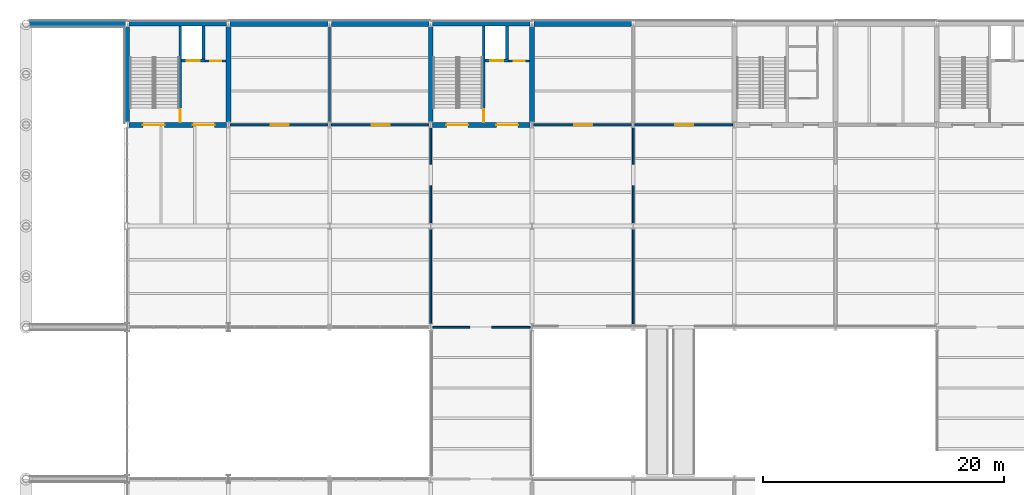
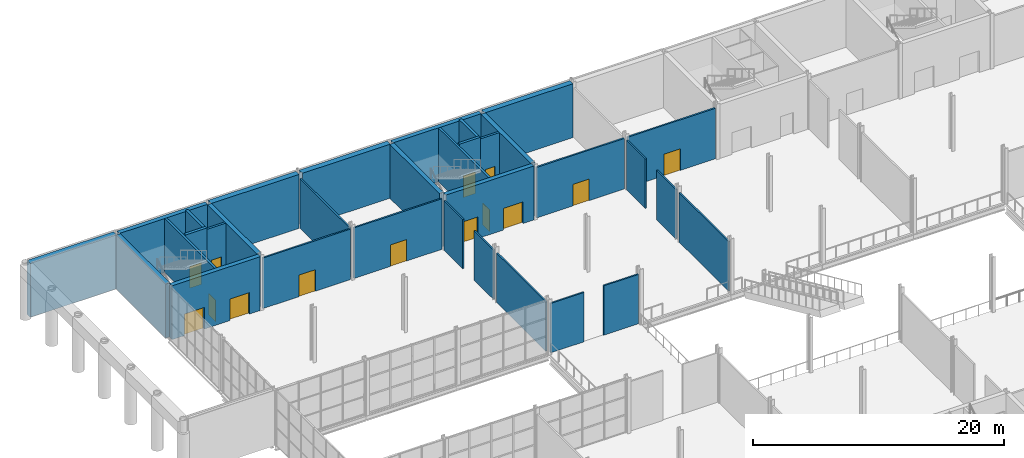
# One storey, part 41 of 64: 33 walls, 14 doors, 14 openings.
"""IFC4 building model written with IfcOpenShell, lengths in metres."""

import ifcopenshell
import ifcopenshell.guid

model = None  # the IFC model being written
_history = None  # IfcOwnerHistory: only IFC2X3 demands one
_inside = {}  # id of a spatial element -> (the spatial element, [elements in it])
_under = {}  # id of a project, library or spatial element -> (it, [spatial elements below it])
_declared = {}  # id of a project -> (the project, [libraries it declares])
_typed = {}  # id of a type object -> (the type object, [elements of that type])
_made_of = {}  # id of a material, layer set ... -> (it, [elements and type objects made of it])


def new_model(schema):
    """Start an empty IFC model of exactly this schema.

    Asked for "IFC4X3", IfcOpenShell would pick the latest addendum, in which some entities
    have other attributes; the version numbers below select the first issue.
    IFC2X3 requires an IfcOwnerHistory on every rooted entity: one is made here for all.
    """
    global model, _history
    if schema == "IFC4X3":
        model = ifcopenshell.file(schema_version=(4, 3, 0, 0))
    else:
        model = ifcopenshell.file(schema=schema)
    _inside.clear()
    _under.clear()
    _declared.clear()
    _typed.clear()
    _made_of.clear()
    _history = None
    if model.schema == "IFC2X3":
        org = make("IfcOrganization", Name="unknown")
        user = make(
            "IfcPersonAndOrganization",
            ThePerson=make("IfcPerson", FamilyName="unknown"),
            TheOrganization=org,
        )
        app = make(
            "IfcApplication",
            ApplicationDeveloper=org,
            Version="unknown",
            ApplicationFullName="unknown",
            ApplicationIdentifier="unknown",
        )
        _history = make(
            "IfcOwnerHistory",
            OwningUser=user,
            OwningApplication=app,
            ChangeAction="ADDED",
            CreationDate=0,
        )
    return model


def make(cls, **values):
    """One entity of the class cls with the attributes given. An attribute that is None is left unset."""
    return model.create_entity(
        cls, **{name: value for name, value in values.items() if value is not None}
    )


def rooted(cls, **values):
    """An entity with a GlobalId (a new one), such as an element, a storey or a relation."""
    return make(cls, GlobalId=ifcopenshell.guid.new(), OwnerHistory=_history, **values)


def si_unit(unit_type, name, prefix=None):
    """IfcSIUnit, for example si_unit("LENGTHUNIT", "METRE", prefix="MILLI")."""
    return make("IfcSIUnit", UnitType=unit_type, Prefix=prefix, Name=name)


def assignment(units):
    """IfcUnitAssignment: the units of a project."""
    return None if units is None else make("IfcUnitAssignment", Units=units)


def point(xyz):
    """IfcCartesianPoint."""
    return None if xyz is None else make("IfcCartesianPoint", Coordinates=xyz)


def direction(xyz):
    """IfcDirection."""
    return None if xyz is None else make("IfcDirection", DirectionRatios=xyz)


def frame(location, z_axis=None, x_axis=None):
    """IfcAxis2Placement3D, a coordinate frame: its origin and axes. An axis left out is left unset."""
    return make(
        "IfcAxis2Placement3D",
        Location=point(location),
        Axis=direction(z_axis),
        RefDirection=direction(x_axis),
    )


def frame_2d(location, x_axis=None):
    """IfcAxis2Placement2D, a coordinate frame in the plane: its origin and x axis."""
    return make(
        "IfcAxis2Placement2D", Location=point(location), RefDirection=direction(x_axis)
    )


def origin():
    """The frame at (0, 0, 0) with its axes left unset."""
    return frame((0.0, 0.0, 0.0))


def place(relative_to, where):
    """IfcLocalPlacement: puts the frame where relative to a parent placement (None: the world)."""
    return make(
        "IfcLocalPlacement", PlacementRelTo=relative_to, RelativePlacement=where
    )


def context(
    kind, dimensions, precision=None, world=None, true_north=None, identifier=None
):
    """IfcGeometricRepresentationContext, for example the 3D "Model" context."""
    return make(
        "IfcGeometricRepresentationContext",
        ContextIdentifier=identifier,
        ContextType=kind,
        CoordinateSpaceDimension=dimensions,
        Precision=precision,
        WorldCoordinateSystem=world,
        TrueNorth=true_north,
    )


def subcontext(parent, identifier, kind, view, scale=None):
    """IfcGeometricRepresentationSubContext, for example "Body" below "Model"."""
    return make(
        "IfcGeometricRepresentationSubContext",
        ContextIdentifier=identifier,
        ContextType=kind,
        ParentContext=parent,
        TargetScale=scale,
        TargetView=view,
    )


def project(units=None, contexts=None):
    """IfcProject with its units and contexts."""
    return rooted(
        "IfcProject",
        Name="project",
        RepresentationContexts=contexts,
        UnitsInContext=assignment(units),
    )


def spatial(cls, under=None, at=None, **own):
    """A site, building, storey or space (cls), placed at a placement, below another one or the project."""
    s = rooted(cls, ObjectPlacement=at, **own)
    if under is not None:
        _under.setdefault(under.id(), (under, []))[1].append(s)
    return s


def profile(cls, at=None, kind="AREA", **sizes):
    """A parametric profile (cls). Its sizes go by their IFC names, for example OverallWidth=200.0."""
    return make(cls, ProfileType=kind, Position=at, **sizes)


def rectangle(**sizes):
    """IfcRectangleProfileDef."""
    return profile("IfcRectangleProfileDef", **sizes)


def extrude(swept, where, along, depth):
    """IfcExtrudedAreaSolid: the profile swept, set in the frame where, extruded along a direction by depth."""
    return make(
        "IfcExtrudedAreaSolid",
        SweptArea=swept,
        Position=where,
        ExtrudedDirection=direction(along),
        Depth=depth,
    )


def shape(context_of_items, identifier, shape_type, items):
    """IfcShapeRepresentation: the items that make up one representation, for example the "Body"."""
    return make(
        "IfcShapeRepresentation",
        ContextOfItems=context_of_items,
        RepresentationIdentifier=identifier,
        RepresentationType=shape_type,
        Items=items,
    )


def material(Name=None, Category=None):
    """IfcMaterial."""
    return make("IfcMaterial", Name=Name, Category=Category)


def layer(
    of_material, thickness, ventilated=None, Name=None, Category=None, Priority=None
):
    """IfcMaterialLayer: one layer of a wall or slab, of a material (None: an air gap)."""
    return make(
        "IfcMaterialLayer",
        Material=of_material,
        LayerThickness=thickness,
        IsVentilated=ventilated,
        Name=Name,
        Category=Category,
        Priority=Priority,
    )


def layer_set(layers, Name=None):
    """IfcMaterialLayerSet."""
    return make("IfcMaterialLayerSet", MaterialLayers=layers, LayerSetName=Name)


def made_of(thing, what):
    """Note that an element or type object is made of a material, layer set ...; save() writes the relation."""
    if what is not None:
        _made_of.setdefault(what.id(), (what, []))[1].append(thing)
    return thing


def type_object(cls, material=None, **own):
    """A type object (cls), such as IfcWallType, which elements share."""
    return made_of(rooted(cls, **own), material)


def element(
    cls,
    number,
    at=None,
    inside=None,
    cuts=None,
    type_object=None,
    material=None,
    context=None,
    identifier="Body",
    shape_type=None,
    held_by="IfcProductDefinitionShape",
    body=None,
    shapes=None,
    **own,
):
    """One element of the class cls, such as IfcWall. Its Tag is "e" and its number.

    at: its placement. inside: the storey or other place that contains it. cuts: it is an
    opening in that element (IfcRelVoidsElement). A single representation is given by context,
    identifier, shape_type and body (its items); several are given by shapes. held_by: the class
    of the entity that holds the representations. save() writes the other relations.
    """
    e = rooted(cls, Tag="e%d" % number, ObjectPlacement=at, **own)
    if body is not None:
        shapes = [shape(context, identifier, shape_type, body)]
    if shapes is not None:
        e.Representation = make(held_by, Representations=shapes)
    if inside is not None:
        _inside.setdefault(inside.id(), (inside, []))[1].append(e)
    if cuts is not None:
        rooted(
            "IfcRelVoidsElement", RelatingBuildingElement=cuts, RelatedOpeningElement=e
        )
    if type_object is not None:
        _typed.setdefault(type_object.id(), (type_object, []))[1].append(e)
    return made_of(e, material)


def fill(opening, filler):
    """IfcRelFillsElement: the door or window that sits in an opening."""
    return rooted(
        "IfcRelFillsElement",
        RelatingOpeningElement=opening,
        RelatedBuildingElement=filler,
    )


def aggregate(whole, parts):
    """IfcRelAggregates: a whole, such as a stair, and the parts it consists of."""
    return rooted("IfcRelAggregates", RelatingObject=whole, RelatedObjects=parts)


def save(model, path):
    """Write the relations noted so far, then the file.

    IfcRelAggregates (storeys below a building ...), IfcRelContainedInSpatialStructure (elements
    in a storey), IfcRelDefinesByType, IfcRelAssociatesMaterial and IfcRelDeclares: one each for
    every whole, place, type object, material and project.
    """
    for whole, parts in _under.values():
        aggregate(whole, parts)
    for where, things in _inside.values():
        rooted(
            "IfcRelContainedInSpatialStructure",
            RelatedElements=things,
            RelatingStructure=where,
        )
    for kind, things in _typed.values():
        rooted("IfcRelDefinesByType", RelatedObjects=things, RelatingType=kind)
    for what, things in _made_of.values():
        rooted("IfcRelAssociatesMaterial", RelatedObjects=things, RelatingMaterial=what)
    for by, libraries in _declared.values():
        rooted("IfcRelDeclares", RelatingContext=by, RelatedDefinitions=libraries)
    model.write(path)


model = new_model("IFC4")

# Units and contexts
model_context = context("Model", 3, precision=1e-05, world=origin(), true_north=direction((0.0, 1.0)))
body_context = subcontext(model_context, "Body", "Model", "MODEL_VIEW")
ifc_project = project(units=[si_unit("LENGTHUNIT", "METRE"), si_unit("AREAUNIT", "SQUARE_METRE"), si_unit("VOLUMEUNIT", "CUBIC_METRE"), si_unit("PLANEANGLEUNIT", "RADIAN"), si_unit("MASSUNIT", "GRAM", prefix="KILO")], contexts=[model_context])

# Site, building, storey
site_placement = place(None, origin())
site = spatial("IfcSite", under=ifc_project, at=site_placement, CompositionType="ELEMENT")
building_placement = place(site_placement, origin())
building = spatial("IfcBuilding", under=site, at=building_placement, Name="Galleria Vessillo Department Store", CompositionType="ELEMENT")
storey_placement = place(building_placement, frame((0.0, 0.0, 6.0)))
storey = spatial("IfcBuildingStorey", under=building, at=storey_placement, Name="L01", CompositionType="ELEMENT", Elevation=6.0)

# Wall, opening, door
ifc_material_1 = material(Name="Solid clay block masonry", Category="masonry")
ifc_layer_1 = layer(ifc_material_1, 0.25)
ifc_layer_set_1 = layer_set([ifc_layer_1], Name="Solid clay block masonry")
wall_type_1 = type_object("IfcWallType", Name="Lift shaft wall 250 mm", PredefinedType="SOLIDWALL", material=ifc_layer_set_1)
wall_1_placement = place(storey_placement, frame((12.89990234375, 59.925048828125, 0.0), z_axis=(0.0, 0.0, 1.0), x_axis=(1.0, 0.0, 0.0)))
wall_1 = element("IfcWall", 1, at=wall_1_placement, inside=storey, type_object=wall_type_1, Name="Lift shaft wall LP2 landing side L01", PredefinedType="SOLIDWALL", context=body_context, shape_type="SweptSolid", body=[
    extrude(rectangle(XDim=1.9501953125, YDim=0.25, at=frame_2d((0.97509765625, 0.0))), origin(), (0.0, 0.0, 1.0), 5.39990234375),
])
opening_1_placement = place(wall_1_placement, frame((0.425048828125, 0.0, 0.0)))
opening_1 = element("IfcOpeningElement", 2, at=opening_1_placement, cuts=wall_1, Name="Opening LD012", PredefinedType="OPENING", context=body_context, shape_type="SweptSolid", body=[
    extrude(rectangle(XDim=1.10009765625, YDim=2.10009765625, at=frame_2d((0.550048828125, 1.050048828125))), frame((0.0, 0.135009765625, 0.0), z_axis=(0.0, -1.0, 0.0), x_axis=(1.0, 0.0, 0.0)), (0.0, 0.0, 1.0), 0.27001953125),
])
ifc_material_2 = material(Name="Stainless steel lift door panel", Category="steel")
door_type_1 = type_object("IfcDoorType", Name="Lift landing door LD110 sliding 1100 x 2100", OperationType="SLIDING_TO_LEFT", PredefinedType="DOOR", material=ifc_material_2)
door_1_placement = place(opening_1_placement, frame((1.10009765625, 0.0, 0.0), z_axis=(0.0, 0.0, 1.0), x_axis=(-1.0, 0.0, 0.0)))
door_1 = element("IfcDoor", 3, at=door_1_placement, inside=storey, type_object=door_type_1, Name="Lift landing door LP2 L01", OperationType="SLIDING_TO_RIGHT", OverallHeight=2.10009765625, OverallWidth=1.10009765625, PredefinedType="DOOR", context=body_context, shape_type="SweptSolid", body=[
    extrude(rectangle(XDim=1.10009765625, YDim=2.10009765625, at=frame_2d((0.550048828125, 1.050048828125))), frame((0.0, 0.02490234375, 0.0), z_axis=(0.0, -1.0, 0.0), x_axis=(1.0, 0.0, 0.0)), (0.0, 0.0, 1.0), 0.050048828125),
])
fill(opening_1, door_1)

# Wall
wall_2_placement = place(storey_placement, frame((14.72509765625, 62.800048828125, 0.0), z_axis=(0.0, 0.0, 1.0), x_axis=(0.0, -1.0, 0.0)))
element("IfcWall", 4, at=wall_2_placement, inside=storey, type_object=wall_type_1, Name="Lift shaft wall LP2 L01", PredefinedType="SOLIDWALL", context=body_context, shape_type="SweptSolid", body=[
    extrude(rectangle(XDim=2.75, YDim=0.25, at=frame_2d((1.375, 0.0))), origin(), (0.0, 0.0, 1.0), 5.39990234375),
])

# Wall, opening, door
wall_3_placement = place(storey_placement, frame((38.10009765625, 59.925048828125, 0.0), z_axis=(0.0, 0.0, 1.0), x_axis=(1.0, 0.0, 0.0)))
wall_3 = element("IfcWall", 5, at=wall_3_placement, inside=storey, type_object=wall_type_1, Name="Lift shaft wall LP4 landing side L01", PredefinedType="SOLIDWALL", context=body_context, shape_type="SweptSolid", body=[
    extrude(rectangle(XDim=1.949951171875, YDim=0.25, at=frame_2d((0.97509765625, 0.0))), origin(), (0.0, 0.0, 1.0), 5.39990234375),
])
opening_2_placement = place(wall_3_placement, frame((0.4248046875, 0.0, 0.0)))
opening_2 = element("IfcOpeningElement", 6, at=opening_2_placement, cuts=wall_3, Name="Opening LD028", PredefinedType="OPENING", context=body_context, shape_type="SweptSolid", body=[
    extrude(rectangle(XDim=1.10009765625, YDim=2.10009765625, at=frame_2d((0.550048828125, 1.050048828125))), frame((0.0, 0.135009765625, 0.0), z_axis=(0.0, -1.0, 0.0), x_axis=(1.0, 0.0, 0.0)), (0.0, 0.0, 1.0), 0.27001953125),
])
door_2_placement = place(opening_2_placement, frame((1.10009765625, 0.0, 0.0), z_axis=(0.0, 0.0, 1.0), x_axis=(-1.0, 0.0, 0.0)))
door_2 = element("IfcDoor", 7, at=door_2_placement, inside=storey, type_object=door_type_1, Name="Lift landing door LP4 L01", OperationType="SLIDING_TO_RIGHT", OverallHeight=2.10009765625, OverallWidth=1.10009765625, PredefinedType="DOOR", context=body_context, shape_type="SweptSolid", body=[
    extrude(rectangle(XDim=1.10009765625, YDim=2.10009765625, at=frame_2d((0.550048828125, 1.050048828125))), frame((0.0, 0.02490234375, 0.0), z_axis=(0.0, -1.0, 0.0), x_axis=(1.0, 0.0, 0.0)), (0.0, 0.0, 1.0), 0.050048828125),
])
fill(opening_2, door_2)

# Wall
wall_4_placement = place(storey_placement, frame((39.925048828125, 62.800048828125, 0.0), z_axis=(0.0, 0.0, 1.0), x_axis=(0.0, -1.0, 0.0)))
element("IfcWall", 8, at=wall_4_placement, inside=storey, type_object=wall_type_1, Name="Lift shaft wall LP4 L01", PredefinedType="SOLIDWALL", context=body_context, shape_type="SweptSolid", body=[
    extrude(rectangle(XDim=2.75, YDim=0.25, at=frame_2d((1.375, 0.0))), origin(), (0.0, 0.0, 1.0), 5.39990234375),
])

# Wall, openings, doors
ifc_material_3 = material(Name="Concrete C32/40 reinforced", Category="concrete")
ifc_layer_2 = layer(ifc_material_3, 0.39990234375)
ifc_layer_set_2 = layer_set([ifc_layer_2], Name="Concrete C32/40 reinforced")
wall_type_2 = type_object("IfcWallType", Name="Reinforced concrete core wall 400 mm", PredefinedType="SHEAR", material=ifc_layer_set_2)
wall_5_placement = place(storey_placement, frame((8.5498046875, 54.60009765625, 0.0), z_axis=(0.0, 0.0, 1.0), x_axis=(1.0, 0.0, 0.0)))
wall_5 = element("IfcWall", 9, at=wall_5_placement, inside=storey, type_object=wall_type_2, Name="S-CW-PC-NW-INTERIOR-L01", PredefinedType="SHEAR", context=body_context, shape_type="SweptSolid", body=[
    extrude(rectangle(XDim=8.100341796875, YDim=0.39990234375, at=frame_2d((4.05029296875, 0.0))), origin(), (0.0, 0.0, 1.0), 5.25),
])
opening_3_placement = place(wall_5_placement, frame((1.150146484375, 0.0, 0.0)))
opening_3 = element("IfcOpeningElement", 10, at=opening_3_placement, cuts=wall_5, Name="Opening D5047", PredefinedType="OPENING", context=body_context, shape_type="SweptSolid", body=[
    extrude(rectangle(XDim=1.800048828125, YDim=2.10009765625, at=frame_2d((0.89990234375, 1.050048828125))), frame((0.0, 0.2099609375, 0.0), z_axis=(0.0, -1.0, 0.0), x_axis=(1.0, 0.0, 0.0)), (0.0, 0.0, 1.0), 0.419921875),
])
opening_4_placement = place(wall_5_placement, frame((5.300048828125, 0.0, 0.0)))
opening_4 = element("IfcOpeningElement", 11, at=opening_4_placement, cuts=wall_5, Name="Opening D5048", PredefinedType="OPENING", context=body_context, shape_type="SweptSolid", body=[
    extrude(rectangle(XDim=1.800048828125, YDim=2.10009765625, at=frame_2d((0.89990234375, 1.050048828125))), frame((0.0, 0.2099609375, 0.0), z_axis=(0.0, -1.0, 0.0), x_axis=(1.0, 0.0, 0.0)), (0.0, 0.0, 1.0), 0.419921875),
])
ifc_material_4 = material(Name="Fire-rated steel door leaf", Category="steel")
door_type_2 = type_object("IfcDoorType", Name="Door D180F double leaf 1800 x 2100", OperationType="DOUBLE_DOOR_SINGLE_SWING", PredefinedType="DOOR", material=ifc_material_4)
door_3_placement = place(opening_3_placement, origin())
door_3 = element("IfcDoor", 12, at=door_3_placement, inside=storey, type_object=door_type_2, Name="Lobby door PC-NW-ST-FLOOR L01", OperationType="DOUBLE_DOOR_SINGLE_SWING", OverallHeight=2.10009765625, OverallWidth=1.800048828125, PredefinedType="DOOR", context=body_context, shape_type="SweptSolid", body=[
    extrude(rectangle(XDim=1.800048828125, YDim=2.10009765625, at=frame_2d((0.89990234375, 1.050048828125))), frame((0.0, 0.02490234375, 0.0), z_axis=(0.0, -1.0, 0.0), x_axis=(1.0, 0.0, 0.0)), (0.0, 0.0, 1.0), 0.050048828125),
])
fill(opening_3, door_3)
door_4_placement = place(opening_4_placement, origin())
door_4 = element("IfcDoor", 13, at=door_4_placement, inside=storey, type_object=door_type_2, Name="Lobby door PC-NW-LOBBY-FLOOR L01", OperationType="DOUBLE_DOOR_SINGLE_SWING", OverallHeight=2.10009765625, OverallWidth=1.800048828125, PredefinedType="DOOR", context=body_context, shape_type="SweptSolid", body=[
    extrude(rectangle(XDim=1.800048828125, YDim=2.10009765625, at=frame_2d((0.89990234375, 1.050048828125))), frame((0.0, 0.02490234375, 0.0), z_axis=(0.0, -1.0, 0.0), x_axis=(1.0, 0.0, 0.0)), (0.0, 0.0, 1.0), 0.050048828125),
])
fill(opening_4, door_4)

# Wall
wall_6_placement = place(storey_placement, frame((16.800048828125, 54.85009765625, 0.0), z_axis=(0.0, 0.0, 1.0), x_axis=(0.0, 1.0, 0.0)))
element("IfcWall", 14, at=wall_6_placement, inside=storey, type_object=wall_type_2, Name="S-CW-PC-NW-EAST-L01", PredefinedType="SHEAR", context=body_context, shape_type="SweptSolid", body=[
    extrude(rectangle(XDim=7.89990234375, YDim=0.39990234375, at=frame_2d((3.949951171875, 0.0))), origin(), (0.0, 0.0, 1.0), 5.25),
])

# Wall, openings, doors
wall_7_placement = place(storey_placement, frame((33.75, 54.60009765625, 0.0), z_axis=(0.0, 0.0, 1.0), x_axis=(1.0, 0.0, 0.0)))
wall_7 = element("IfcWall", 15, at=wall_7_placement, inside=storey, type_object=wall_type_2, Name="S-CW-PC-NM-INTERIOR-L01", PredefinedType="SHEAR", context=body_context, shape_type="SweptSolid", body=[
    extrude(rectangle(XDim=8.10009765625, YDim=0.39990234375, at=frame_2d((4.050048828125, 0.0))), origin(), (0.0, 0.0, 1.0), 5.25),
])
opening_5_placement = place(wall_7_placement, frame((1.14990234375, 0.0, 0.0)))
opening_5 = element("IfcOpeningElement", 16, at=opening_5_placement, cuts=wall_7, Name="Opening D5109", PredefinedType="OPENING", context=body_context, shape_type="SweptSolid", body=[
    extrude(rectangle(XDim=1.800048828125, YDim=2.10009765625, at=frame_2d((0.89990234375, 1.050048828125))), frame((0.0, 0.2099609375, 0.0), z_axis=(0.0, -1.0, 0.0), x_axis=(1.0, 0.0, 0.0)), (0.0, 0.0, 1.0), 0.419921875),
])
opening_6_placement = place(wall_7_placement, frame((5.2998046875, 0.0, 0.0)))
opening_6 = element("IfcOpeningElement", 17, at=opening_6_placement, cuts=wall_7, Name="Opening D5110", PredefinedType="OPENING", context=body_context, shape_type="SweptSolid", body=[
    extrude(rectangle(XDim=1.800048828125, YDim=2.10009765625, at=frame_2d((0.89990234375, 1.050048828125))), frame((0.0, 0.2099609375, 0.0), z_axis=(0.0, -1.0, 0.0), x_axis=(1.0, 0.0, 0.0)), (0.0, 0.0, 1.0), 0.419921875),
])
door_5_placement = place(opening_5_placement, origin())
door_5 = element("IfcDoor", 18, at=door_5_placement, inside=storey, type_object=door_type_2, Name="Lobby door PC-NM-ST-FLOOR L01", OperationType="DOUBLE_DOOR_SINGLE_SWING", OverallHeight=2.10009765625, OverallWidth=1.800048828125, PredefinedType="DOOR", context=body_context, shape_type="SweptSolid", body=[
    extrude(rectangle(XDim=1.800048828125, YDim=2.10009765625, at=frame_2d((0.89990234375, 1.050048828125))), frame((0.0, 0.02490234375, 0.0), z_axis=(0.0, -1.0, 0.0), x_axis=(1.0, 0.0, 0.0)), (0.0, 0.0, 1.0), 0.050048828125),
])
fill(opening_5, door_5)
door_6_placement = place(opening_6_placement, origin())
door_6 = element("IfcDoor", 19, at=door_6_placement, inside=storey, type_object=door_type_2, Name="Lobby door PC-NM-LOBBY-FLOOR L01", OperationType="DOUBLE_DOOR_SINGLE_SWING", OverallHeight=2.10009765625, OverallWidth=1.800048828125, PredefinedType="DOOR", context=body_context, shape_type="SweptSolid", body=[
    extrude(rectangle(XDim=1.800048828125, YDim=2.10009765625, at=frame_2d((0.89990234375, 1.050048828125))), frame((0.0, 0.02490234375, 0.0), z_axis=(0.0, -1.0, 0.0), x_axis=(1.0, 0.0, 0.0)), (0.0, 0.0, 1.0), 0.050048828125),
])
fill(opening_6, door_6)

# Walls
for number, where, z_axis, x_axis, name in (
    (20, (33.60009765625, 54.85009765625, 0.0), (0.0, 0.0, 1.0), (0.0, 1.0, 0.0), "S-CW-PC-NM-WEST-L01"),
    (21, (42.0, 54.85009765625, 0.0), (0.0, 0.0, 1.0), (0.0, 1.0, 0.0), "S-CW-PC-NM-EAST-L01"),
):
    element("IfcWall", number, at=place(storey_placement, frame(where, z_axis=z_axis, x_axis=x_axis)), inside=storey, type_object=wall_type_2, Name=name, PredefinedType="SHEAR", context=body_context, shape_type="SweptSolid", body=[
        extrude(rectangle(XDim=7.89990234375, YDim=0.39990234375, at=frame_2d((3.949951171875, 0.0))), origin(), (0.0, 0.0, 1.0), 5.25),
    ])
ifc_material_5 = material(Name="Concrete C32/40 reinforced", Category="concrete")
ifc_layer_3 = layer(ifc_material_5, 0.39990234375)
ifc_layer_set_3 = layer_set([ifc_layer_3], Name="Concrete C32/40 reinforced")
wall_type_3 = type_object("IfcWallType", Name="Reinforced concrete core wall 400 mm, external", PredefinedType="SHEAR", material=ifc_layer_set_3)
wall_8_placement = place(storey_placement, frame((8.5498046875, 63.0, 0.0), z_axis=(0.0, 0.0, 1.0), x_axis=(1.0, 0.0, 0.0)))
element("IfcWall", 22, at=wall_8_placement, inside=storey, type_object=wall_type_3, Name="S-CW-PC-NW-PARTY-L01", PredefinedType="SHEAR", context=body_context, shape_type="SweptSolid", body=[
    extrude(rectangle(XDim=8.100341796875, YDim=0.39990234375, at=frame_2d((4.05029296875, 0.0))), origin(), (0.0, 0.0, 1.0), 5.25),
])
wall_9_placement = place(storey_placement, frame((8.39990234375, 54.85009765625, 0.0), z_axis=(0.0, 0.0, 1.0), x_axis=(0.0, 1.0, 0.0)))
element("IfcWall", 23, at=wall_9_placement, inside=storey, type_object=wall_type_3, Name="S-CW-PC-NW-WEST-L01", PredefinedType="SHEAR", context=body_context, shape_type="SweptSolid", body=[
    extrude(rectangle(XDim=7.89990234375, YDim=0.39990234375, at=frame_2d((3.949951171875, 0.0))), origin(), (0.0, 0.0, 1.0), 5.25),
])
wall_10_placement = place(storey_placement, frame((33.75, 63.0, 0.0), z_axis=(0.0, 0.0, 1.0), x_axis=(1.0, 0.0, 0.0)))
element("IfcWall", 24, at=wall_10_placement, inside=storey, type_object=wall_type_3, Name="S-CW-PC-NM-PARTY-L01", PredefinedType="SHEAR", context=body_context, shape_type="SweptSolid", body=[
    extrude(rectangle(XDim=8.10009765625, YDim=0.39990234375, at=frame_2d((4.050048828125, 0.0))), origin(), (0.0, 0.0, 1.0), 5.25),
])
ifc_material_6 = material(Name="Concrete C32/40 reinforced", Category="concrete")
ifc_layer_4 = layer(ifc_material_6, 0.5)
ifc_layer_set_4 = layer_set([ifc_layer_4], Name="Concrete C32/40 reinforced")
wall_type_4 = type_object("IfcWallType", Name="Reinforced concrete party wall 500 mm", PredefinedType="SHEAR", material=ifc_layer_set_4)
wall_11_placement = place(storey_placement, frame((0.304931640625, 63.0, 0.0), z_axis=(0.0, 0.0, 1.0), x_axis=(1.0, 0.0, 0.0)))
element("IfcWall", 25, at=wall_11_placement, inside=storey, type_object=wall_type_4, Name="S-PN-L01-01", PredefinedType="SHEAR", context=body_context, shape_type="SweptSolid", body=[
    extrude(rectangle(XDim=7.945068359375, YDim=0.5, at=frame_2d((3.97265625, 0.0))), origin(), (0.0, 0.0, 1.0), 5.25),
])
wall_12_placement = place(storey_placement, frame((16.949951171875, 63.0, 0.0), z_axis=(0.0, 0.0, 1.0), x_axis=(1.0, 0.0, 0.0)))
element("IfcWall", 26, at=wall_12_placement, inside=storey, type_object=wall_type_4, Name="S-PN-L01-02", PredefinedType="SHEAR", context=body_context, shape_type="SweptSolid", body=[
    extrude(rectangle(XDim=8.10009765625, YDim=0.5, at=frame_2d((4.050048828125, 0.0))), origin(), (0.0, 0.0, 1.0), 5.25),
])
wall_13_placement = place(storey_placement, frame((25.349853515625, 63.0, 0.0), z_axis=(0.0, 0.0, 1.0), x_axis=(1.0, 0.0, 0.0)))
element("IfcWall", 27, at=wall_13_placement, inside=storey, type_object=wall_type_4, Name="S-PN-L01-03", PredefinedType="SHEAR", context=body_context, shape_type="SweptSolid", body=[
    extrude(rectangle(XDim=8.100341796875, YDim=0.5, at=frame_2d((4.05029296875, 0.0))), origin(), (0.0, 0.0, 1.0), 5.25),
])
wall_14_placement = place(storey_placement, frame((42.14990234375, 63.0, 0.0), z_axis=(0.0, 0.0, 1.0), x_axis=(1.0, 0.0, 0.0)))
element("IfcWall", 28, at=wall_14_placement, inside=storey, type_object=wall_type_4, Name="S-PN-L01-04", PredefinedType="SHEAR", context=body_context, shape_type="SweptSolid", body=[
    extrude(rectangle(XDim=8.10009765625, YDim=0.5, at=frame_2d((4.050048828125, 0.0))), origin(), (0.0, 0.0, 1.0), 5.25),
])

# Wall, opening, door
ifc_material_7 = material(Name="Concrete C32/40 reinforced", Category="concrete")
ifc_layer_5 = layer(ifc_material_7, 0.199951171875)
ifc_layer_set_5 = layer_set([ifc_layer_5], Name="Concrete C32/40 reinforced")
wall_type_5 = type_object("IfcWallType", Name="Reinforced concrete stair enclosure wall 200 mm", PredefinedType="SHEAR", material=ifc_layer_set_5)
wall_15_placement = place(storey_placement, frame((12.7998046875, 62.800048828125, 0.0), z_axis=(0.0, 0.0, 1.0), x_axis=(0.0, -1.0, 0.0)))
wall_15 = element("IfcWall", 29, at=wall_15_placement, inside=storey, type_object=wall_type_5, Name="Stair enclosure wall PC-NW L01", PredefinedType="SHEAR", context=body_context, shape_type="SweptSolid", body=[
    extrude(rectangle(XDim=8.0, YDim=0.199951171875, at=frame_2d((4.0, 0.0))), origin(), (0.0, 0.0, 1.0), 5.25),
])
opening_7_placement = place(wall_15_placement, frame((6.89990234375, 0.0, 0.0)))
opening_7 = element("IfcOpeningElement", 30, at=opening_7_placement, cuts=wall_15, Name="Opening D5045", PredefinedType="OPENING", context=body_context, shape_type="SweptSolid", body=[
    extrude(rectangle(XDim=1.11009765625, YDim=2.10009765625, at=frame_2d((0.554931640625, 1.050048828125))), frame((0.0, 0.10986328125, 0.0), z_axis=(0.0, -1.0, 0.0), x_axis=(1.0, 0.0, 0.0)), (0.0, 0.0, 1.0), 0.219970703125),
])
ifc_material_8 = material(Name="Fire-rated steel door leaf", Category="steel")
door_type_3 = type_object("IfcDoorType", Name="Door D110F stair door 1100 x 2100", OperationType="SINGLE_SWING_LEFT", PredefinedType="DOOR", material=ifc_material_8)
door_7_placement = place(opening_7_placement, frame((1.10009765625, 0.0, 0.0), z_axis=(0.0, 0.0, 1.0), x_axis=(-1.0, 0.0, 0.0)))
door_7 = element("IfcDoor", 31, at=door_7_placement, inside=storey, type_object=door_type_3, Name="Stair door PC-NW-ST-LOBBY L01", OperationType="SINGLE_SWING_LEFT", OverallHeight=2.10009765625, OverallWidth=1.10009765625, PredefinedType="DOOR", context=body_context, shape_type="SweptSolid", body=[
    extrude(rectangle(XDim=1.10009765625, YDim=2.10009765625, at=frame_2d((0.550048828125, 1.050048828125))), frame((0.0, 0.02490234375, 0.0), z_axis=(0.0, -1.0, 0.0), x_axis=(1.0, 0.0, 0.0)), (0.0, 0.0, 1.0), 0.050048828125),
])
fill(opening_7, door_7)

wall_16_placement = place(storey_placement, frame((38.0, 62.800048828125, 0.0), z_axis=(0.0, 0.0, 1.0), x_axis=(0.0, -1.0, 0.0)))
wall_16 = element("IfcWall", 32, at=wall_16_placement, inside=storey, type_object=wall_type_5, Name="Stair enclosure wall PC-NM L01", PredefinedType="SHEAR", context=body_context, shape_type="SweptSolid", body=[
    extrude(rectangle(XDim=8.0, YDim=0.199951171875, at=frame_2d((4.0, 0.0))), origin(), (0.0, 0.0, 1.0), 5.25),
])
opening_8_placement = place(wall_16_placement, frame((6.89990234375, 0.0, 0.0)))
opening_8 = element("IfcOpeningElement", 33, at=opening_8_placement, cuts=wall_16, Name="Opening D5107", PredefinedType="OPENING", context=body_context, shape_type="SweptSolid", body=[
    extrude(rectangle(XDim=1.11009765625, YDim=2.10009765625, at=frame_2d((0.554931640625, 1.050048828125))), frame((0.0, 0.10986328125, 0.0), z_axis=(0.0, -1.0, 0.0), x_axis=(1.0, 0.0, 0.0)), (0.0, 0.0, 1.0), 0.219970703125),
])
door_8_placement = place(opening_8_placement, frame((1.10009765625, 0.0, 0.0), z_axis=(0.0, 0.0, 1.0), x_axis=(-1.0, 0.0, 0.0)))
door_8 = element("IfcDoor", 34, at=door_8_placement, inside=storey, type_object=door_type_3, Name="Stair door PC-NM-ST-LOBBY L01", OperationType="SINGLE_SWING_LEFT", OverallHeight=2.10009765625, OverallWidth=1.10009765625, PredefinedType="DOOR", context=body_context, shape_type="SweptSolid", body=[
    extrude(rectangle(XDim=1.10009765625, YDim=2.10009765625, at=frame_2d((0.550048828125, 1.050048828125))), frame((0.0, 0.02490234375, 0.0), z_axis=(0.0, -1.0, 0.0), x_axis=(1.0, 0.0, 0.0)), (0.0, 0.0, 1.0), 0.050048828125),
])
fill(opening_8, door_8)

ifc_material_9 = material(Name="Hollow clay block masonry", Category="masonry")
ifc_layer_6 = layer(ifc_material_9, 0.199951171875)
ifc_layer_set_6 = layer_set([ifc_layer_6], Name="Hollow clay block masonry")
wall_type_6 = type_object("IfcWallType", Name="Riser and service room wall 200 mm", PredefinedType="PARTITIONING", material=ifc_layer_set_6)
wall_17_placement = place(storey_placement, frame((14.85009765625, 59.900146484375, 0.0), z_axis=(0.0, 0.0, 1.0), x_axis=(1.0, 0.0, 0.0)))
wall_17 = element("IfcWall", 35, at=wall_17_placement, inside=storey, type_object=wall_type_6, Name="Riser wall PC-NW-RISER L01", PredefinedType="PARTITIONING", context=body_context, shape_type="SweptSolid", body=[
    extrude(rectangle(XDim=1.75, YDim=0.199951171875, at=frame_2d((0.875, 0.0))), origin(), (0.0, 0.0, 1.0), 5.25),
])
opening_9_placement = place(wall_17_placement, frame((0.449951171875, 0.0, 0.0)))
opening_9 = element("IfcOpeningElement", 36, at=opening_9_placement, cuts=wall_17, Name="Opening D5046", PredefinedType="OPENING", context=body_context, shape_type="SweptSolid", body=[
    extrude(rectangle(XDim=0.89990234375, YDim=2.10009765625, at=frame_2d((0.449951171875, 1.050048828125))), frame((0.0, 0.10986328125, 0.0), z_axis=(0.0, -1.0, 0.0), x_axis=(1.0, 0.0, 0.0)), (0.0, 0.0, 1.0), 0.219970703125),
])
ifc_material_10 = material(Name="Fire-rated steel door leaf", Category="steel")
door_type_4 = type_object("IfcDoorType", Name="Door DR90 riser access 900 x 2100", OperationType="SINGLE_SWING_LEFT", PredefinedType="DOOR", material=ifc_material_10)
door_9_placement = place(opening_9_placement, origin())
door_9 = element("IfcDoor", 37, at=door_9_placement, inside=storey, type_object=door_type_4, Name="Riser door PC-NW-RISER-D L01", OperationType="SINGLE_SWING_RIGHT", OverallHeight=2.10009765625, OverallWidth=0.89990234375, PredefinedType="DOOR", context=body_context, shape_type="SweptSolid", body=[
    extrude(rectangle(XDim=0.89990234375, YDim=2.10009765625, at=frame_2d((0.449951171875, 1.050048828125))), frame((0.0, 0.02490234375, 0.0), z_axis=(0.0, -1.0, 0.0), x_axis=(1.0, 0.0, 0.0)), (0.0, 0.0, 1.0), 0.050048828125),
])
fill(opening_9, door_9)

wall_18_placement = place(storey_placement, frame((40.050048828125, 59.900146484375, 0.0), z_axis=(0.0, 0.0, 1.0), x_axis=(1.0, 0.0, 0.0)))
wall_18 = element("IfcWall", 38, at=wall_18_placement, inside=storey, type_object=wall_type_6, Name="Riser wall PC-NM-RISER L01", PredefinedType="PARTITIONING", context=body_context, shape_type="SweptSolid", body=[
    extrude(rectangle(XDim=1.75, YDim=0.199951171875, at=frame_2d((0.875, 0.0))), origin(), (0.0, 0.0, 1.0), 5.25),
])
opening_10_placement = place(wall_18_placement, frame((0.449951171875, 0.0, 0.0)))
opening_10 = element("IfcOpeningElement", 39, at=opening_10_placement, cuts=wall_18, Name="Opening D5108", PredefinedType="OPENING", context=body_context, shape_type="SweptSolid", body=[
    extrude(rectangle(XDim=0.89990234375, YDim=2.10009765625, at=frame_2d((0.449951171875, 1.050048828125))), frame((0.0, 0.10986328125, 0.0), z_axis=(0.0, -1.0, 0.0), x_axis=(1.0, 0.0, 0.0)), (0.0, 0.0, 1.0), 0.219970703125),
])
door_10_placement = place(opening_10_placement, origin())
door_10 = element("IfcDoor", 40, at=door_10_placement, inside=storey, type_object=door_type_4, Name="Riser door PC-NM-RISER-D L01", OperationType="SINGLE_SWING_RIGHT", OverallHeight=2.10009765625, OverallWidth=0.89990234375, PredefinedType="DOOR", context=body_context, shape_type="SweptSolid", body=[
    extrude(rectangle(XDim=0.89990234375, YDim=2.10009765625, at=frame_2d((0.449951171875, 1.050048828125))), frame((0.0, 0.02490234375, 0.0), z_axis=(0.0, -1.0, 0.0), x_axis=(1.0, 0.0, 0.0)), (0.0, 0.0, 1.0), 0.050048828125),
])
fill(opening_10, door_10)

# Walls
ifc_material_11 = material(Name="Gypsum board partition")
ifc_layer_7 = layer(ifc_material_11, 0.139892578125)
ifc_layer_set_7 = layer_set([ifc_layer_7], Name="Gypsum board partition")
wall_type_7 = type_object("IfcWallType", Name="Sales dividing wall 140 mm", PredefinedType="PARTITIONING", material=ifc_layer_set_7)
wall_19_placement = place(storey_placement, frame((33.60009765625, 38.110107421875, 0.0), z_axis=(0.0, 0.0, 1.0), x_axis=(0.0, 1.0, 0.0)))
element("IfcWall", 41, at=wall_19_placement, inside=storey, type_object=wall_type_7, Name="Partition wall PT3 on L01 no. 052", PredefinedType="PARTITIONING", context=body_context, shape_type="SweptSolid", body=[
    extrude(rectangle(XDim=7.83984375, YDim=0.139892578125, at=frame_2d((3.919921875, 0.0))), origin(), (0.0, 0.0, 1.0), 4.81005859375),
])
wall_20_placement = place(storey_placement, frame((33.60009765625, 46.449951171875, 0.0), z_axis=(0.0, 0.0, 1.0), x_axis=(0.0, 1.0, 0.0)))
element("IfcWall", 42, at=wall_20_placement, inside=storey, type_object=wall_type_7, Name="Partition wall PT3 on L01 no. 053", PredefinedType="PARTITIONING", context=body_context, shape_type="SweptSolid", body=[
    extrude(rectangle(XDim=3.10009765625, YDim=0.139892578125, at=frame_2d((1.550048828125, 0.0))), origin(), (0.0, 0.0, 1.0), 4.81005859375),
])
wall_21_placement = place(storey_placement, frame((33.60009765625, 51.349853515625, 0.0), z_axis=(0.0, 0.0, 1.0), x_axis=(0.0, 1.0, 0.0)))
element("IfcWall", 43, at=wall_21_placement, inside=storey, type_object=wall_type_7, Name="Partition wall PT3 on L01 no. 054", PredefinedType="PARTITIONING", context=body_context, shape_type="SweptSolid", body=[
    extrude(rectangle(XDim=3.000244140625, YDim=0.139892578125, at=frame_2d((1.5, 0.0))), origin(), (0.0, 0.0, 1.0), 4.81005859375),
])
wall_22_placement = place(storey_placement, frame((50.39990234375, 38.06201171875, 0.0), z_axis=(0.0, 0.0, 1.0), x_axis=(0.0, 1.0, 0.0)))
element("IfcWall", 44, at=wall_22_placement, inside=storey, type_object=wall_type_7, Name="Partition wall PT3 on L01 no. 055", PredefinedType="PARTITIONING", context=body_context, shape_type="SweptSolid", body=[
    extrude(rectangle(XDim=7.887939453125, YDim=0.139892578125, at=frame_2d((3.94384765625, 0.0))), origin(), (0.0, 0.0, 1.0), 4.81005859375),
])
wall_23_placement = place(storey_placement, frame((50.39990234375, 46.449951171875, 0.0), z_axis=(0.0, 0.0, 1.0), x_axis=(0.0, 1.0, 0.0)))
element("IfcWall", 45, at=wall_23_placement, inside=storey, type_object=wall_type_7, Name="Partition wall PT3 on L01 no. 056", PredefinedType="PARTITIONING", context=body_context, shape_type="SweptSolid", body=[
    extrude(rectangle(XDim=3.10009765625, YDim=0.139892578125, at=frame_2d((1.550048828125, 0.0))), origin(), (0.0, 0.0, 1.0), 4.81005859375),
])
wall_24_placement = place(storey_placement, frame((50.39990234375, 51.349853515625, 0.0), z_axis=(0.0, 0.0, 1.0), x_axis=(0.0, 1.0, 0.0)))
element("IfcWall", 46, at=wall_24_placement, inside=storey, type_object=wall_type_7, Name="Partition wall PT3 on L01 no. 057", PredefinedType="PARTITIONING", context=body_context, shape_type="SweptSolid", body=[
    extrude(rectangle(XDim=3.000244140625, YDim=0.139892578125, at=frame_2d((1.5, 0.0))), origin(), (0.0, 0.0, 1.0), 4.81005859375),
])
wall_25_placement = place(storey_placement, frame((33.752685546875, 37.800048828125, 0.0), z_axis=(0.0, 0.0, 1.0), x_axis=(1.0, 0.0, 0.0)))
element("IfcWall", 47, at=wall_25_placement, inside=storey, type_object=wall_type_7, Name="Partition wall PT3 on L01 no. 058", PredefinedType="PARTITIONING", context=body_context, shape_type="SweptSolid", body=[
    extrude(rectangle(XDim=3.099853515625, YDim=0.139892578125, at=frame_2d((1.5498046875, 0.0))), origin(), (0.0, 0.0, 1.0), 4.81005859375),
])
wall_26_placement = place(storey_placement, frame((38.652587890625, 37.800048828125, 0.0), z_axis=(0.0, 0.0, 1.0), x_axis=(1.0, 0.0, 0.0)))
element("IfcWall", 48, at=wall_26_placement, inside=storey, type_object=wall_type_7, Name="Partition wall PT3 on L01 no. 059", PredefinedType="PARTITIONING", context=body_context, shape_type="SweptSolid", body=[
    extrude(rectangle(XDim=3.19482421875, YDim=0.139892578125, at=frame_2d((1.597412109375, 0.0))), origin(), (0.0, 0.0, 1.0), 4.81005859375),
])
ifc_material_12 = material(Name="Concrete blockwork", Category="masonry")
ifc_layer_8 = layer(ifc_material_12, 0.14990234375)
ifc_layer_set_8 = layer_set([ifc_layer_8], Name="Concrete blockwork")
wall_type_8 = type_object("IfcWallType", Name="Stockroom blockwork wall 150 mm", PredefinedType="SOLIDWALL", material=ifc_layer_set_8)
wall_27_placement = place(storey_placement, frame((25.199951171875, 54.85009765625, 0.0), z_axis=(0.0, 0.0, 1.0), x_axis=(0.0, 1.0, 0.0)))
element("IfcWall", 49, at=wall_27_placement, inside=storey, type_object=wall_type_8, Name="Partition wall PT4 on L01 no. 023", PredefinedType="SOLIDWALL", context=body_context, shape_type="SweptSolid", body=[
    extrude(rectangle(XDim=7.89990234375, YDim=0.14990234375, at=frame_2d((3.949951171875, 0.0))), origin(), (0.0, 0.0, 1.0), 4.81005859375),
])

# Wall, opening, door
wall_28_placement = place(storey_placement, frame((16.949951171875, 54.60009765625, 0.0), z_axis=(0.0, 0.0, 1.0), x_axis=(1.0, 0.0, 0.0)))
wall_28 = element("IfcWall", 50, at=wall_28_placement, inside=storey, type_object=wall_type_8, Name="Partition wall PT4 on L01 no. 024", PredefinedType="SOLIDWALL", context=body_context, shape_type="SweptSolid", body=[
    extrude(rectangle(XDim=8.10009765625, YDim=0.14990234375, at=frame_2d((4.050048828125, 0.0))), origin(), (0.0, 0.0, 1.0), 4.919921875),
])
opening_11_placement = place(wall_28_placement, frame((3.35009765625, 0.0, 0.0)))
opening_11 = element("IfcOpeningElement", 51, at=opening_11_placement, cuts=wall_28, Name="Opening D2314", PredefinedType="OPENING", context=body_context, shape_type="SweptSolid", body=[
    extrude(rectangle(XDim=1.5, YDim=2.10009765625, at=frame_2d((0.75, 1.050048828125))), frame((0.0, 0.0849609375, 0.0), z_axis=(0.0, -1.0, 0.0), x_axis=(1.0, 0.0, 0.0)), (0.0, 0.0, 1.0), 0.169921875),
])
ifc_material_13 = material(Name="Steel fire door leaf", Category="steel")
door_type_5 = type_object("IfcDoorType", Name="Stockroom fire door 1500 double leaf", OperationType="DOUBLE_DOOR_SINGLE_SWING", PredefinedType="DOOR", material=ifc_material_13)
door_11_placement = place(opening_11_placement, origin())
door_11 = element("IfcDoor", 52, at=door_11_placement, inside=storey, type_object=door_type_5, Name="Door D2314", OperationType="DOUBLE_DOOR_SINGLE_SWING", OverallHeight=2.10009765625, OverallWidth=1.5, PredefinedType="DOOR", context=body_context, shape_type="SweptSolid", body=[
    extrude(rectangle(XDim=1.5, YDim=2.10009765625, at=frame_2d((0.75, 1.050048828125))), frame((0.0, 0.02490234375, 0.0), z_axis=(0.0, -1.0, 0.0), x_axis=(1.0, 0.0, 0.0)), (0.0, 0.0, 1.0), 0.050048828125),
])
fill(opening_11, door_11)

wall_29_placement = place(storey_placement, frame((25.349853515625, 54.60009765625, 0.0), z_axis=(0.0, 0.0, 1.0), x_axis=(1.0, 0.0, 0.0)))
wall_29 = element("IfcWall", 53, at=wall_29_placement, inside=storey, type_object=wall_type_8, Name="Partition wall PT4 on L01 no. 025", PredefinedType="SOLIDWALL", context=body_context, shape_type="SweptSolid", body=[
    extrude(rectangle(XDim=8.100341796875, YDim=0.14990234375, at=frame_2d((4.05029296875, 0.0))), origin(), (0.0, 0.0, 1.0), 4.919921875),
])
opening_12_placement = place(wall_29_placement, frame((3.35009765625, 0.0, 0.0)))
opening_12 = element("IfcOpeningElement", 54, at=opening_12_placement, cuts=wall_29, Name="Opening D2315", PredefinedType="OPENING", context=body_context, shape_type="SweptSolid", body=[
    extrude(rectangle(XDim=1.5, YDim=2.10009765625, at=frame_2d((0.75, 1.050048828125))), frame((0.0, 0.0849609375, 0.0), z_axis=(0.0, -1.0, 0.0), x_axis=(1.0, 0.0, 0.0)), (0.0, 0.0, 1.0), 0.169921875),
])
door_12_placement = place(opening_12_placement, origin())
door_12 = element("IfcDoor", 55, at=door_12_placement, inside=storey, type_object=door_type_5, Name="Door D2315", OperationType="DOUBLE_DOOR_SINGLE_SWING", OverallHeight=2.10009765625, OverallWidth=1.5, PredefinedType="DOOR", context=body_context, shape_type="SweptSolid", body=[
    extrude(rectangle(XDim=1.5, YDim=2.10009765625, at=frame_2d((0.75, 1.050048828125))), frame((0.0, 0.02490234375, 0.0), z_axis=(0.0, -1.0, 0.0), x_axis=(1.0, 0.0, 0.0)), (0.0, 0.0, 1.0), 0.050048828125),
])
fill(opening_12, door_12)

wall_30_placement = place(storey_placement, frame((42.14990234375, 54.60009765625, 0.0), z_axis=(0.0, 0.0, 1.0), x_axis=(1.0, 0.0, 0.0)))
wall_30 = element("IfcWall", 56, at=wall_30_placement, inside=storey, type_object=wall_type_8, Name="Partition wall PT4 on L01 no. 027", PredefinedType="SOLIDWALL", context=body_context, shape_type="SweptSolid", body=[
    extrude(rectangle(XDim=8.10009765625, YDim=0.14990234375, at=frame_2d((4.050048828125, 0.0))), origin(), (0.0, 0.0, 1.0), 4.919921875),
])
opening_13_placement = place(wall_30_placement, frame((3.35009765625, 0.0, 0.0)))
opening_13 = element("IfcOpeningElement", 57, at=opening_13_placement, cuts=wall_30, Name="Opening D2316", PredefinedType="OPENING", context=body_context, shape_type="SweptSolid", body=[
    extrude(rectangle(XDim=1.5, YDim=2.10009765625, at=frame_2d((0.75, 1.050048828125))), frame((0.0, 0.0849609375, 0.0), z_axis=(0.0, -1.0, 0.0), x_axis=(1.0, 0.0, 0.0)), (0.0, 0.0, 1.0), 0.169921875),
])
door_13_placement = place(opening_13_placement, origin())
door_13 = element("IfcDoor", 58, at=door_13_placement, inside=storey, type_object=door_type_5, Name="Door D2316", OperationType="DOUBLE_DOOR_SINGLE_SWING", OverallHeight=2.10009765625, OverallWidth=1.5, PredefinedType="DOOR", context=body_context, shape_type="SweptSolid", body=[
    extrude(rectangle(XDim=1.5, YDim=2.10009765625, at=frame_2d((0.75, 1.050048828125))), frame((0.0, 0.02490234375, 0.0), z_axis=(0.0, -1.0, 0.0), x_axis=(1.0, 0.0, 0.0)), (0.0, 0.0, 1.0), 0.050048828125),
])
fill(opening_13, door_13)

wall_31_placement = place(storey_placement, frame((50.5498046875, 54.60009765625, 0.0), z_axis=(0.0, 0.0, 1.0), x_axis=(1.0, 0.0, 0.0)))
wall_31 = element("IfcWall", 59, at=wall_31_placement, inside=storey, type_object=wall_type_8, Name="Partition wall PT4 on L01 no. 028", PredefinedType="SOLIDWALL", context=body_context, shape_type="SweptSolid", body=[
    extrude(rectangle(XDim=8.100341796875, YDim=0.14990234375, at=frame_2d((4.05029296875, 0.0))), origin(), (0.0, 0.0, 1.0), 4.919921875),
])
opening_14_placement = place(wall_31_placement, frame((3.35009765625, 0.0, 0.0)))
opening_14 = element("IfcOpeningElement", 60, at=opening_14_placement, cuts=wall_31, Name="Opening D2317", PredefinedType="OPENING", context=body_context, shape_type="SweptSolid", body=[
    extrude(rectangle(XDim=1.5, YDim=2.10009765625, at=frame_2d((0.75, 1.050048828125))), frame((0.0, 0.0849609375, 0.0), z_axis=(0.0, -1.0, 0.0), x_axis=(1.0, 0.0, 0.0)), (0.0, 0.0, 1.0), 0.169921875),
])
door_14_placement = place(opening_14_placement, origin())
door_14 = element("IfcDoor", 61, at=door_14_placement, inside=storey, type_object=door_type_5, Name="Door D2317", OperationType="DOUBLE_DOOR_SINGLE_SWING", OverallHeight=2.10009765625, OverallWidth=1.5, PredefinedType="DOOR", context=body_context, shape_type="SweptSolid", body=[
    extrude(rectangle(XDim=1.5, YDim=2.10009765625, at=frame_2d((0.75, 1.050048828125))), frame((0.0, 0.02490234375, 0.0), z_axis=(0.0, -1.0, 0.0), x_axis=(1.0, 0.0, 0.0)), (0.0, 0.0, 1.0), 0.050048828125),
])
fill(opening_14, door_14)

save(model, "model.ifc")
